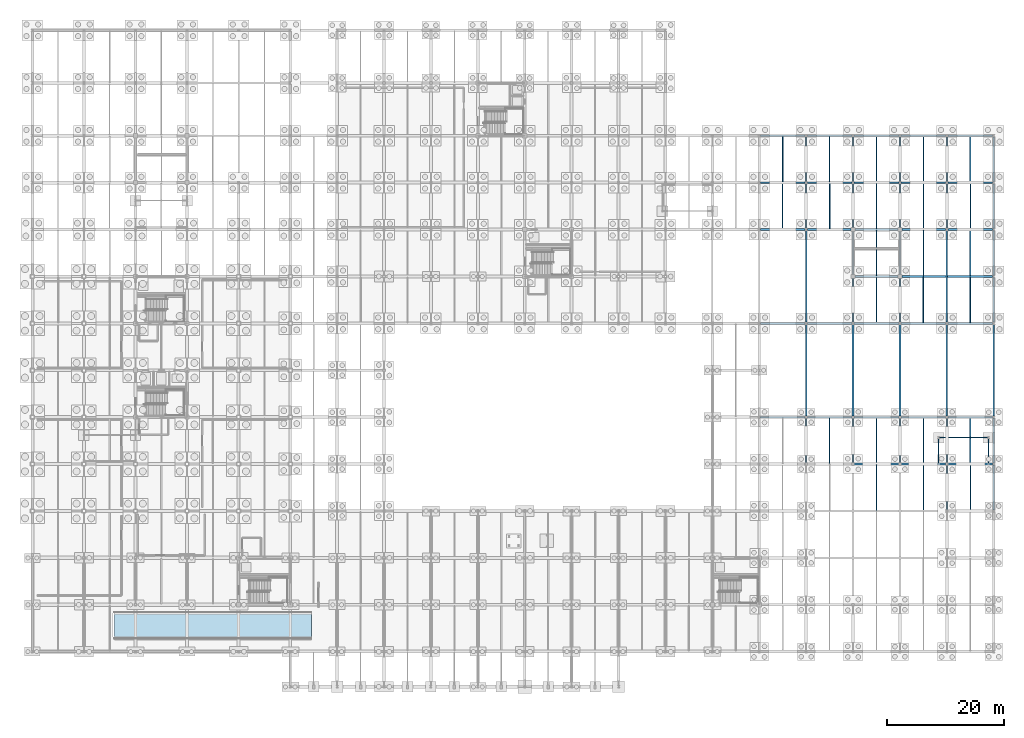
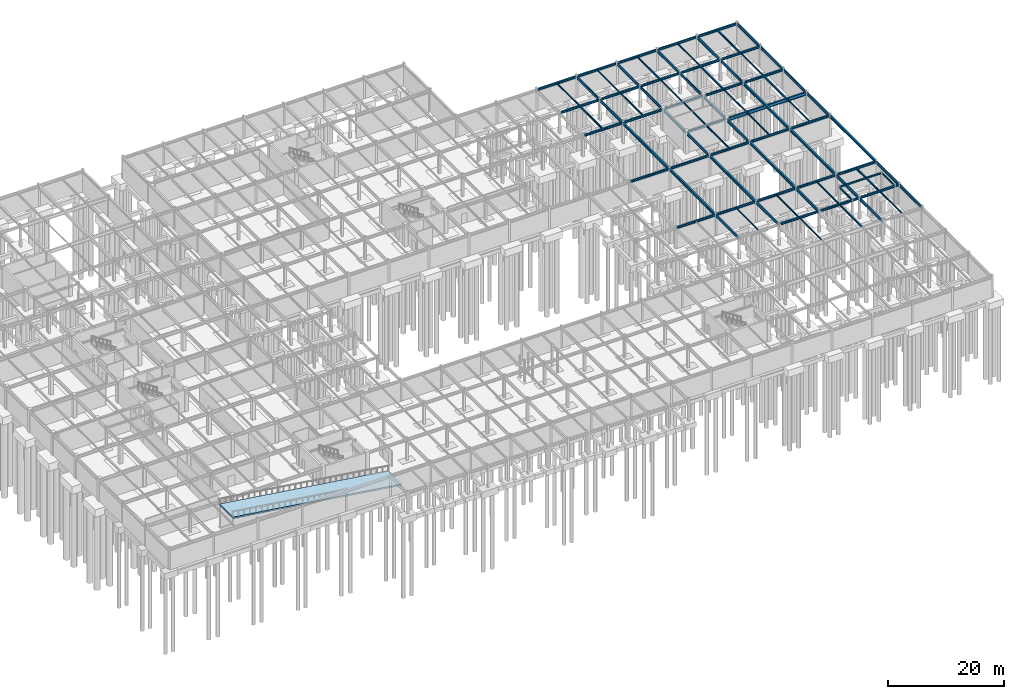
# One storey, part 40 of 72: 86 beams, 1 slab.
"""IFC4 building model written with IfcOpenShell, lengths in metres."""

import ifcopenshell
import ifcopenshell.guid

model = None  # the IFC model being written
_history = None  # IfcOwnerHistory: only IFC2X3 demands one
_inside = {}  # id of a spatial element -> (the spatial element, [elements in it])
_under = {}  # id of a project, library or spatial element -> (it, [spatial elements below it])
_declared = {}  # id of a project -> (the project, [libraries it declares])
_typed = {}  # id of a type object -> (the type object, [elements of that type])
_made_of = {}  # id of a material, layer set ... -> (it, [elements and type objects made of it])


def new_model(schema):
    """Start an empty IFC model of exactly this schema.

    Asked for "IFC4X3", IfcOpenShell would pick the latest addendum, in which some entities
    have other attributes; the version numbers below select the first issue.
    IFC2X3 requires an IfcOwnerHistory on every rooted entity: one is made here for all.
    """
    global model, _history
    if schema == "IFC4X3":
        model = ifcopenshell.file(schema_version=(4, 3, 0, 0))
    else:
        model = ifcopenshell.file(schema=schema)
    _inside.clear()
    _under.clear()
    _declared.clear()
    _typed.clear()
    _made_of.clear()
    _history = None
    if model.schema == "IFC2X3":
        org = make("IfcOrganization", Name="unknown")
        user = make(
            "IfcPersonAndOrganization",
            ThePerson=make("IfcPerson", FamilyName="unknown"),
            TheOrganization=org,
        )
        app = make(
            "IfcApplication",
            ApplicationDeveloper=org,
            Version="unknown",
            ApplicationFullName="unknown",
            ApplicationIdentifier="unknown",
        )
        _history = make(
            "IfcOwnerHistory",
            OwningUser=user,
            OwningApplication=app,
            ChangeAction="ADDED",
            CreationDate=0,
        )
    return model


def make(cls, **values):
    """One entity of the class cls with the attributes given. An attribute that is None is left unset."""
    return model.create_entity(
        cls, **{name: value for name, value in values.items() if value is not None}
    )


def rooted(cls, **values):
    """An entity with a GlobalId (a new one), such as an element, a storey or a relation."""
    return make(cls, GlobalId=ifcopenshell.guid.new(), OwnerHistory=_history, **values)


def si_unit(unit_type, name, prefix=None):
    """IfcSIUnit, for example si_unit("LENGTHUNIT", "METRE", prefix="MILLI")."""
    return make("IfcSIUnit", UnitType=unit_type, Prefix=prefix, Name=name)


def assignment(units):
    """IfcUnitAssignment: the units of a project."""
    return None if units is None else make("IfcUnitAssignment", Units=units)


def point(xyz):
    """IfcCartesianPoint."""
    return None if xyz is None else make("IfcCartesianPoint", Coordinates=xyz)


def direction(xyz):
    """IfcDirection."""
    return None if xyz is None else make("IfcDirection", DirectionRatios=xyz)


def frame(location, z_axis=None, x_axis=None):
    """IfcAxis2Placement3D, a coordinate frame: its origin and axes. An axis left out is left unset."""
    return make(
        "IfcAxis2Placement3D",
        Location=point(location),
        Axis=direction(z_axis),
        RefDirection=direction(x_axis),
    )


def frame_2d(location, x_axis=None):
    """IfcAxis2Placement2D, a coordinate frame in the plane: its origin and x axis."""
    return make(
        "IfcAxis2Placement2D", Location=point(location), RefDirection=direction(x_axis)
    )


def origin():
    """The frame at (0, 0, 0) with its axes left unset."""
    return frame((0.0, 0.0, 0.0))


def origin_2d():
    """The frame at (0, 0) in the plane with its x axis left unset."""
    return frame_2d((0.0, 0.0))


def place(relative_to, where):
    """IfcLocalPlacement: puts the frame where relative to a parent placement (None: the world)."""
    return make(
        "IfcLocalPlacement", PlacementRelTo=relative_to, RelativePlacement=where
    )


def context(
    kind, dimensions, precision=None, world=None, true_north=None, identifier=None
):
    """IfcGeometricRepresentationContext, for example the 3D "Model" context."""
    return make(
        "IfcGeometricRepresentationContext",
        ContextIdentifier=identifier,
        ContextType=kind,
        CoordinateSpaceDimension=dimensions,
        Precision=precision,
        WorldCoordinateSystem=world,
        TrueNorth=true_north,
    )


def subcontext(parent, identifier, kind, view, scale=None):
    """IfcGeometricRepresentationSubContext, for example "Body" below "Model"."""
    return make(
        "IfcGeometricRepresentationSubContext",
        ContextIdentifier=identifier,
        ContextType=kind,
        ParentContext=parent,
        TargetScale=scale,
        TargetView=view,
    )


def project(units=None, contexts=None):
    """IfcProject with its units and contexts."""
    return rooted(
        "IfcProject",
        Name="project",
        RepresentationContexts=contexts,
        UnitsInContext=assignment(units),
    )


def spatial(cls, under=None, at=None, **own):
    """A site, building, storey or space (cls), placed at a placement, below another one or the project."""
    s = rooted(cls, ObjectPlacement=at, **own)
    if under is not None:
        _under.setdefault(under.id(), (under, []))[1].append(s)
    return s


def polyline(points):
    """IfcPolyline through the points."""
    return make("IfcPolyline", Points=[point(p) for p in points])


def profile(cls, at=None, kind="AREA", **sizes):
    """A parametric profile (cls). Its sizes go by their IFC names, for example OverallWidth=200.0."""
    return make(cls, ProfileType=kind, Position=at, **sizes)


def i_section(**sizes):
    """IfcIShapeProfileDef."""
    return profile("IfcIShapeProfileDef", **sizes)


def outline(outer, holes=None, kind="AREA"):
    """IfcArbitraryClosedProfileDef: a profile drawn as a closed curve; with holes, ...WithVoids."""
    if holes is None:
        return make("IfcArbitraryClosedProfileDef", ProfileType=kind, OuterCurve=outer)
    return make(
        "IfcArbitraryProfileDefWithVoids",
        ProfileType=kind,
        OuterCurve=outer,
        InnerCurves=holes,
    )


def extrude(swept, where, along, depth):
    """IfcExtrudedAreaSolid: the profile swept, set in the frame where, extruded along a direction by depth."""
    return make(
        "IfcExtrudedAreaSolid",
        SweptArea=swept,
        Position=where,
        ExtrudedDirection=direction(along),
        Depth=depth,
    )


def shape(context_of_items, identifier, shape_type, items):
    """IfcShapeRepresentation: the items that make up one representation, for example the "Body"."""
    return make(
        "IfcShapeRepresentation",
        ContextOfItems=context_of_items,
        RepresentationIdentifier=identifier,
        RepresentationType=shape_type,
        Items=items,
    )


def material(Name=None, Category=None):
    """IfcMaterial."""
    return make("IfcMaterial", Name=Name, Category=Category)


def layer(
    of_material, thickness, ventilated=None, Name=None, Category=None, Priority=None
):
    """IfcMaterialLayer: one layer of a wall or slab, of a material (None: an air gap)."""
    return make(
        "IfcMaterialLayer",
        Material=of_material,
        LayerThickness=thickness,
        IsVentilated=ventilated,
        Name=Name,
        Category=Category,
        Priority=Priority,
    )


def layer_set(layers, Name=None):
    """IfcMaterialLayerSet."""
    return make("IfcMaterialLayerSet", MaterialLayers=layers, LayerSetName=Name)


def material_profile(
    of_material, cross_section, Name=None, Category=None, Priority=None
):
    """IfcMaterialProfile: a cross section and its material."""
    return make(
        "IfcMaterialProfile",
        Name=Name,
        Material=of_material,
        Profile=cross_section,
        Priority=Priority,
        Category=Category,
    )


def profile_set(profiles, Name=None, composite=None):
    """IfcMaterialProfileSet."""
    return make(
        "IfcMaterialProfileSet",
        Name=Name,
        MaterialProfiles=profiles,
        CompositeProfile=composite,
    )


def made_of(thing, what):
    """Note that an element or type object is made of a material, layer set ...; save() writes the relation."""
    if what is not None:
        _made_of.setdefault(what.id(), (what, []))[1].append(thing)
    return thing


def type_object(cls, material=None, **own):
    """A type object (cls), such as IfcWallType, which elements share."""
    return made_of(rooted(cls, **own), material)


def element(
    cls,
    number,
    at=None,
    inside=None,
    cuts=None,
    type_object=None,
    material=None,
    context=None,
    identifier="Body",
    shape_type=None,
    held_by="IfcProductDefinitionShape",
    body=None,
    shapes=None,
    **own,
):
    """One element of the class cls, such as IfcWall. Its Tag is "e" and its number.

    at: its placement. inside: the storey or other place that contains it. cuts: it is an
    opening in that element (IfcRelVoidsElement). A single representation is given by context,
    identifier, shape_type and body (its items); several are given by shapes. held_by: the class
    of the entity that holds the representations. save() writes the other relations.
    """
    e = rooted(cls, Tag="e%d" % number, ObjectPlacement=at, **own)
    if body is not None:
        shapes = [shape(context, identifier, shape_type, body)]
    if shapes is not None:
        e.Representation = make(held_by, Representations=shapes)
    if inside is not None:
        _inside.setdefault(inside.id(), (inside, []))[1].append(e)
    if cuts is not None:
        rooted(
            "IfcRelVoidsElement", RelatingBuildingElement=cuts, RelatedOpeningElement=e
        )
    if type_object is not None:
        _typed.setdefault(type_object.id(), (type_object, []))[1].append(e)
    return made_of(e, material)


def aggregate(whole, parts):
    """IfcRelAggregates: a whole, such as a stair, and the parts it consists of."""
    return rooted("IfcRelAggregates", RelatingObject=whole, RelatedObjects=parts)


def save(model, path):
    """Write the relations noted so far, then the file.

    IfcRelAggregates (storeys below a building ...), IfcRelContainedInSpatialStructure (elements
    in a storey), IfcRelDefinesByType, IfcRelAssociatesMaterial and IfcRelDeclares: one each for
    every whole, place, type object, material and project.
    """
    for whole, parts in _under.values():
        aggregate(whole, parts)
    for where, things in _inside.values():
        rooted(
            "IfcRelContainedInSpatialStructure",
            RelatedElements=things,
            RelatingStructure=where,
        )
    for kind, things in _typed.values():
        rooted("IfcRelDefinesByType", RelatedObjects=things, RelatingType=kind)
    for what, things in _made_of.values():
        rooted("IfcRelAssociatesMaterial", RelatedObjects=things, RelatingMaterial=what)
    for by, libraries in _declared.values():
        rooted("IfcRelDeclares", RelatingContext=by, RelatedDefinitions=libraries)
    model.write(path)


model = new_model("IFC4")

# Units and contexts
model_context = context("Model", 3, precision=1e-05, world=origin(), true_north=direction((0.0, 1.0)))
body_context = subcontext(model_context, "Body", "Model", "MODEL_VIEW")
ifc_project = project(units=[si_unit("LENGTHUNIT", "METRE"), si_unit("AREAUNIT", "SQUARE_METRE"), si_unit("VOLUMEUNIT", "CUBIC_METRE"), si_unit("PLANEANGLEUNIT", "RADIAN"), si_unit("MASSUNIT", "GRAM", prefix="KILO")], contexts=[model_context])

# Site, building, storey
site_placement = place(None, origin())
site = spatial("IfcSite", under=ifc_project, at=site_placement, CompositionType="ELEMENT")
building_placement = place(site_placement, origin())
building = spatial("IfcBuilding", under=site, at=building_placement, Name="Zhaolan Boulevard Law Courts", CompositionType="ELEMENT")
storey_placement = place(building_placement, frame((0.0, 0.0, -4.800048828125)))
storey = spatial("IfcBuildingStorey", under=building, at=storey_placement, Name="B1", CompositionType="ELEMENT", Elevation=-4.800048828125)

# Beams
ifc_material_1 = material(Name="Structural steel Q355B", Category="steel")
ifc_material_profile_1 = material_profile(ifc_material_1, i_section(OverallWidth=0.300048828125, OverallDepth=0.43994140625, WebThickness=0.010986328125, FlangeThickness=0.01806640625, FilletRadius=0.02001953125, at=origin_2d()), Name="HM440x300")
ifc_profile_set_1 = profile_set([ifc_material_profile_1], Name="Structural steel Q355B")
beam_type_1 = type_object("IfcBeamType", Name="GIRDER HM440", PredefinedType="BEAM", material=ifc_profile_set_1)
for number, where, z_axis, x_axis, name in (
    (1, (140.196044921875, 38.0, 4.278076171875), (1.0, 0.0, 0.0), (0.0, 1.0, 0.0), "Beam BX-L00-18-19-F"),
    (2, (148.196044921875, 38.0, 4.278076171875), (1.0, 0.0, 0.0), (0.0, 1.0, 0.0), "Beam BX-L00-19-20-F"),
):
    element("IfcBeam", number, at=place(storey_placement, frame(where, z_axis=z_axis, x_axis=x_axis)), inside=storey, type_object=beam_type_1, Name=name, PredefinedType="BEAM", context=body_context, shape_type="SweptSolid", body=[
        extrude(i_section(OverallWidth=0.300048828125, OverallDepth=0.43994140625, WebThickness=0.010986328125, FlangeThickness=0.01806640625, FilletRadius=0.02001953125, at=origin_2d()), origin(), (0.0, 0.0, 1.0), 7.60791015625),
    ])
for number, where, z_axis, x_axis, name in (
    (3, (156.196044921875, 38.0, 4.278076171875), (1.0, 0.0, 0.0), (0.0, 1.0, 0.0), "Beam BX-L00-20-21-F"),
    (4, (124.1708984375, 46.0, 4.278076171875), (1.0, 0.0, 0.0), (0.0, 1.0, 0.0), "Beam BX-L00-16-17-G"),
):
    element("IfcBeam", number, at=place(storey_placement, frame(where, z_axis=z_axis, x_axis=x_axis)), inside=storey, type_object=beam_type_1, Name=name, PredefinedType="BEAM", context=body_context, shape_type="SweptSolid", body=[
        extrude(i_section(OverallWidth=0.300048828125, OverallDepth=0.43994140625, WebThickness=0.010986328125, FlangeThickness=0.01806640625, FilletRadius=0.02001953125, at=origin_2d()), origin(), (0.0, 0.0, 1.0), 7.633056640625),
    ])
for number, where, z_axis, x_axis, name in (
    (5, (132.196044921875, 46.0, 4.278076171875), (1.0, 0.0, 0.0), (0.0, 1.0, 0.0), "Beam BX-L00-17-18-G"),
    (6, (140.196044921875, 46.0, 4.278076171875), (1.0, 0.0, 0.0), (0.0, 1.0, 0.0), "Beam BX-L00-18-19-G"),
    (7, (148.196044921875, 46.0, 4.278076171875), (1.0, 0.0, 0.0), (0.0, 1.0, 0.0), "Beam BX-L00-19-20-G"),
):
    element("IfcBeam", number, at=place(storey_placement, frame(where, z_axis=z_axis, x_axis=x_axis)), inside=storey, type_object=beam_type_1, Name=name, PredefinedType="BEAM", context=body_context, shape_type="SweptSolid", body=[
        extrude(i_section(OverallWidth=0.300048828125, OverallDepth=0.43994140625, WebThickness=0.010986328125, FlangeThickness=0.01806640625, FilletRadius=0.02001953125, at=origin_2d()), origin(), (0.0, 0.0, 1.0), 7.60791015625),
    ])
beam_1_placement = place(storey_placement, frame((156.196044921875, 46.0, 4.278076171875), z_axis=(1.0, 0.0, 0.0), x_axis=(0.0, 1.0, 0.0)))
element("IfcBeam", 8, at=beam_1_placement, inside=storey, type_object=beam_type_1, Name="Beam BX-L00-20-21-G", PredefinedType="BEAM", context=body_context, shape_type="SweptSolid", body=[
    extrude(i_section(OverallWidth=0.300048828125, OverallDepth=0.43994140625, WebThickness=0.010986328125, FlangeThickness=0.01806640625, FilletRadius=0.02001953125, at=origin_2d()), origin(), (0.0, 0.0, 1.0), 7.633056640625),
])
for number, where, z_axis, x_axis, name in (
    (9, (124.196044921875, 62.0, 4.278076171875), (1.0, 0.0, 0.0), (0.0, 1.0, 0.0), "Beam BX-L00-16-17-J"),
    (10, (132.196044921875, 62.0, 4.278076171875), (1.0, 0.0, 0.0), (0.0, 1.0, 0.0), "Beam BX-L00-17-18-J"),
    (11, (140.196044921875, 62.0, 4.278076171875), (1.0, 0.0, 0.0), (0.0, 1.0, 0.0), "Beam BX-L00-18-19-J"),
    (12, (148.196044921875, 62.0, 4.278076171875), (1.0, 0.0, 0.0), (0.0, 1.0, 0.0), "Beam BX-L00-19-20-J"),
    (13, (156.196044921875, 62.0, 4.278076171875), (1.0, 0.0, 0.0), (0.0, 1.0, 0.0), "Beam BX-L00-20-21-J"),
):
    element("IfcBeam", number, at=place(storey_placement, frame(where, z_axis=z_axis, x_axis=x_axis)), inside=storey, type_object=beam_type_1, Name=name, PredefinedType="BEAM", context=body_context, shape_type="SweptSolid", body=[
        extrude(i_section(OverallWidth=0.300048828125, OverallDepth=0.43994140625, WebThickness=0.010986328125, FlangeThickness=0.01806640625, FilletRadius=0.02001953125, at=origin_2d()), origin(), (0.0, 0.0, 1.0), 7.60791015625),
    ])
beam_2_placement = place(storey_placement, frame((140.345947265625, 70.0, 4.278076171875), z_axis=(1.0, 0.0, 0.0), x_axis=(0.0, 1.0, 0.0)))
element("IfcBeam", 14, at=beam_2_placement, inside=storey, type_object=beam_type_1, Name="Beam BX-L00-18-19-K", PredefinedType="BEAM", context=body_context, shape_type="SweptSolid", body=[
    extrude(i_section(OverallWidth=0.300048828125, OverallDepth=0.43994140625, WebThickness=0.010986328125, FlangeThickness=0.01806640625, FilletRadius=0.02001953125, at=origin_2d()), origin(), (0.0, 0.0, 1.0), 7.30810546875),
])
beam_3_placement = place(storey_placement, frame((124.196044921875, 78.0, 4.278076171875), z_axis=(1.0, 0.0, 0.0), x_axis=(0.0, 1.0, 0.0)))
element("IfcBeam", 15, at=beam_3_placement, inside=storey, type_object=beam_type_1, Name="Beam BX-L00-16-17-L", PredefinedType="BEAM", context=body_context, shape_type="SweptSolid", body=[
    extrude(i_section(OverallWidth=0.300048828125, OverallDepth=0.43994140625, WebThickness=0.010986328125, FlangeThickness=0.01806640625, FilletRadius=0.02001953125, at=origin_2d()), origin(), (0.0, 0.0, 1.0), 7.60791015625),
])
beam_4_placement = place(storey_placement, frame((132.196044921875, 78.0, 4.278076171875), z_axis=(1.0, 0.0, 0.0), x_axis=(0.0, 1.0, 0.0)))
element("IfcBeam", 16, at=beam_4_placement, inside=storey, type_object=beam_type_1, Name="Beam BX-L00-17-18-L", PredefinedType="BEAM", context=body_context, shape_type="SweptSolid", body=[
    extrude(i_section(OverallWidth=0.300048828125, OverallDepth=0.43994140625, WebThickness=0.010986328125, FlangeThickness=0.01806640625, FilletRadius=0.02001953125, at=origin_2d()), origin(), (0.0, 0.0, 1.0), 7.4580078125),
])
beam_5_placement = place(storey_placement, frame((140.345947265625, 78.0, 4.278076171875), z_axis=(1.0, 0.0, 0.0), x_axis=(0.0, 1.0, 0.0)))
element("IfcBeam", 17, at=beam_5_placement, inside=storey, type_object=beam_type_1, Name="Beam BX-L00-18-19-L", PredefinedType="BEAM", context=body_context, shape_type="SweptSolid", body=[
    extrude(i_section(OverallWidth=0.300048828125, OverallDepth=0.43994140625, WebThickness=0.010986328125, FlangeThickness=0.01806640625, FilletRadius=0.02001953125, at=origin_2d()), origin(), (0.0, 0.0, 1.0), 7.30810546875),
])
beam_6_placement = place(storey_placement, frame((148.345947265625, 78.0, 4.278076171875), z_axis=(1.0, 0.0, 0.0), x_axis=(0.0, 1.0, 0.0)))
element("IfcBeam", 18, at=beam_6_placement, inside=storey, type_object=beam_type_1, Name="Beam BX-L00-19-20-L", PredefinedType="BEAM", context=body_context, shape_type="SweptSolid", body=[
    extrude(i_section(OverallWidth=0.300048828125, OverallDepth=0.43994140625, WebThickness=0.010986328125, FlangeThickness=0.01806640625, FilletRadius=0.02001953125, at=origin_2d()), origin(), (0.0, 0.0, 1.0), 7.4580078125),
])
for number, where, z_axis, x_axis, name in (
    (19, (156.196044921875, 78.0, 4.278076171875), (1.0, 0.0, 0.0), (0.0, 1.0, 0.0), "Beam BX-L00-20-21-L"),
    (20, (124.196044921875, 86.0, 4.278076171875), (1.0, 0.0, 0.0), (0.0, 1.0, 0.0), "Beam BX-L00-16-17-M"),
    (21, (132.196044921875, 86.0, 4.278076171875), (1.0, 0.0, 0.0), (0.0, 1.0, 0.0), "Beam BX-L00-17-18-M"),
    (22, (140.196044921875, 86.0, 4.278076171875), (1.0, 0.0, 0.0), (0.0, 1.0, 0.0), "Beam BX-L00-18-19-M"),
    (23, (148.196044921875, 86.0, 4.278076171875), (1.0, 0.0, 0.0), (0.0, 1.0, 0.0), "Beam BX-L00-19-20-M"),
    (24, (156.196044921875, 86.0, 4.278076171875), (1.0, 0.0, 0.0), (0.0, 1.0, 0.0), "Beam BX-L00-20-21-M"),
    (25, (124.196044921875, 94.0, 4.278076171875), (1.0, 0.0, 0.0), (0.0, 1.0, 0.0), "Beam BX-L00-16-17-N"),
    (26, (132.196044921875, 94.0, 4.278076171875), (1.0, 0.0, 0.0), (0.0, 1.0, 0.0), "Beam BX-L00-17-18-N"),
    (27, (140.196044921875, 94.0, 4.278076171875), (1.0, 0.0, 0.0), (0.0, 1.0, 0.0), "Beam BX-L00-18-19-N"),
    (28, (148.196044921875, 94.0, 4.278076171875), (1.0, 0.0, 0.0), (0.0, 1.0, 0.0), "Beam BX-L00-19-20-N"),
    (29, (156.196044921875, 94.0, 4.278076171875), (1.0, 0.0, 0.0), (0.0, 1.0, 0.0), "Beam BX-L00-20-21-N"),
):
    element("IfcBeam", number, at=place(storey_placement, frame(where, z_axis=z_axis, x_axis=x_axis)), inside=storey, type_object=beam_type_1, Name=name, PredefinedType="BEAM", context=body_context, shape_type="SweptSolid", body=[
        extrude(i_section(OverallWidth=0.300048828125, OverallDepth=0.43994140625, WebThickness=0.010986328125, FlangeThickness=0.01806640625, FilletRadius=0.02001953125, at=origin_2d()), origin(), (0.0, 0.0, 1.0), 7.60791015625),
    ])
ifc_material_2 = material(Name="Structural steel Q390B", Category="steel")
ifc_material_profile_2 = material_profile(ifc_material_2, i_section(OverallWidth=0.300048828125, OverallDepth=0.587890625, WebThickness=0.011962890625, FlangeThickness=0.02001953125, FilletRadius=0.02392578125, at=origin_2d()), Name="HM588x300")
ifc_profile_set_2 = profile_set([ifc_material_profile_2], Name="Structural steel Q390B")
beam_type_2 = type_object("IfcBeamType", Name="GIRDER HM588", PredefinedType="BEAM", material=ifc_profile_set_2)
for number, where, z_axis, x_axis, name in (
    (30, (132.0, 46.196044921875, 4.254150390625), (0.0, 1.0, 0.0), (-1.0, 0.0, 0.0), "Beam BY-L00-17-G-J"),
    (31, (132.0, 62.196044921875, 4.2041015625), (0.0, 1.0, 0.0), (-1.0, 0.0, 0.0), "Beam BY-L00-17-J-L"),
    (32, (140.0, 46.196044921875, 4.254150390625), (0.0, 1.0, 0.0), (-1.0, 0.0, 0.0), "Beam BY-L00-18-G-J"),
    (33, (148.0, 46.196044921875, 4.254150390625), (0.0, 1.0, 0.0), (-1.0, 0.0, 0.0), "Beam BY-L00-19-G-J"),
    (34, (156.0, 46.196044921875, 4.254150390625), (0.0, 1.0, 0.0), (-1.0, 0.0, 0.0), "Beam BY-L00-20-G-J"),
    (35, (156.0, 62.196044921875, 4.2041015625), (0.0, 1.0, 0.0), (-1.0, 0.0, 0.0), "Beam BY-L00-20-J-L"),
):
    element("IfcBeam", number, at=place(storey_placement, frame(where, z_axis=z_axis, x_axis=x_axis)), inside=storey, type_object=beam_type_2, Name=name, PredefinedType="BEAM", context=body_context, shape_type="SweptSolid", body=[
        extrude(i_section(OverallWidth=0.300048828125, OverallDepth=0.587890625, WebThickness=0.011962890625, FlangeThickness=0.02001953125, FilletRadius=0.02392578125, at=origin_2d()), origin(), (0.0, 0.0, 1.0), 15.60791015625),
    ])
beam_7_placement = place(storey_placement, frame((164.0, 46.1708984375, 4.254150390625), z_axis=(0.0, 1.0, 0.0), x_axis=(-1.0, 0.0, 0.0)))
element("IfcBeam", 36, at=beam_7_placement, inside=storey, type_object=beam_type_2, Name="Beam BY-L00-21-G-J", PredefinedType="BEAM", context=body_context, shape_type="SweptSolid", body=[
    extrude(i_section(OverallWidth=0.300048828125, OverallDepth=0.587890625, WebThickness=0.011962890625, FlangeThickness=0.02001953125, FilletRadius=0.02392578125, at=origin_2d()), origin(), (0.0, 0.0, 1.0), 15.633056640625),
])
ifc_material_3 = material(Name="Structural steel Q355B", Category="steel")
ifc_material_profile_3 = material_profile(ifc_material_3, i_section(OverallWidth=0.199951171875, OverallDepth=0.60009765625, WebThickness=0.010986328125, FlangeThickness=0.01708984375, FilletRadius=0.02001953125, at=origin_2d()), Name="HN600x200")
ifc_profile_set_3 = profile_set([ifc_material_profile_3], Name="Structural steel Q355B")
beam_type_3 = type_object("IfcBeamType", Name="GIRDER HN600", PredefinedType="BEAM", material=ifc_profile_set_3)
for number, where, z_axis, x_axis, name in (
    (37, (132.0, 38.196044921875, 4.197998046875), (0.0, 1.0, 0.0), (-1.0, 0.0, 0.0), "Beam BY-L00-17-F-G"),
    (38, (132.0, 78.196044921875, 4.197998046875), (0.0, 1.0, 0.0), (-1.0, 0.0, 0.0), "Beam BY-L00-17-L-M"),
    (39, (132.0, 86.196044921875, 4.197998046875), (0.0, 1.0, 0.0), (-1.0, 0.0, 0.0), "Beam BY-L00-17-M-N"),
    (40, (140.0, 38.196044921875, 4.197998046875), (0.0, 1.0, 0.0), (-1.0, 0.0, 0.0), "Beam BY-L00-18-F-G"),
):
    element("IfcBeam", number, at=place(storey_placement, frame(where, z_axis=z_axis, x_axis=x_axis)), inside=storey, type_object=beam_type_3, Name=name, PredefinedType="BEAM", context=body_context, shape_type="SweptSolid", body=[
        extrude(i_section(OverallWidth=0.199951171875, OverallDepth=0.60009765625, WebThickness=0.010986328125, FlangeThickness=0.01708984375, FilletRadius=0.02001953125, at=origin_2d()), origin(), (0.0, 0.0, 1.0), 7.60791015625),
    ])
beam_8_placement = place(storey_placement, frame((140.0, 62.196044921875, 4.197998046875), z_axis=(0.0, 1.0, 0.0), x_axis=(-1.0, 0.0, 0.0)))
element("IfcBeam", 41, at=beam_8_placement, inside=storey, type_object=beam_type_3, Name="Beam BY-L00-18-J-K", PredefinedType="BEAM", context=body_context, shape_type="SweptSolid", body=[
    extrude(i_section(OverallWidth=0.199951171875, OverallDepth=0.60009765625, WebThickness=0.010986328125, FlangeThickness=0.01708984375, FilletRadius=0.02001953125, at=origin_2d()), origin(), (0.0, 0.0, 1.0), 7.4580078125),
])
beam_9_placement = place(storey_placement, frame((140.0, 70.345947265625, 4.197998046875), z_axis=(0.0, 1.0, 0.0), x_axis=(-1.0, 0.0, 0.0)))
element("IfcBeam", 42, at=beam_9_placement, inside=storey, type_object=beam_type_3, Name="Beam BY-L00-18-K-L", PredefinedType="BEAM", context=body_context, shape_type="SweptSolid", body=[
    extrude(i_section(OverallWidth=0.199951171875, OverallDepth=0.60009765625, WebThickness=0.010986328125, FlangeThickness=0.01708984375, FilletRadius=0.02001953125, at=origin_2d()), origin(), (0.0, 0.0, 1.0), 7.30810546875),
])
beam_10_placement = place(storey_placement, frame((140.0, 78.345947265625, 4.197998046875), z_axis=(0.0, 1.0, 0.0), x_axis=(-1.0, 0.0, 0.0)))
element("IfcBeam", 43, at=beam_10_placement, inside=storey, type_object=beam_type_3, Name="Beam BY-L00-18-L-M", PredefinedType="BEAM", context=body_context, shape_type="SweptSolid", body=[
    extrude(i_section(OverallWidth=0.199951171875, OverallDepth=0.60009765625, WebThickness=0.010986328125, FlangeThickness=0.01708984375, FilletRadius=0.02001953125, at=origin_2d()), origin(), (0.0, 0.0, 1.0), 7.4580078125),
])
for number, where, z_axis, x_axis, name in (
    (44, (140.0, 86.196044921875, 4.197998046875), (0.0, 1.0, 0.0), (-1.0, 0.0, 0.0), "Beam BY-L00-18-M-N"),
    (45, (148.0, 38.196044921875, 4.197998046875), (0.0, 1.0, 0.0), (-1.0, 0.0, 0.0), "Beam BY-L00-19-F-G"),
):
    element("IfcBeam", number, at=place(storey_placement, frame(where, z_axis=z_axis, x_axis=x_axis)), inside=storey, type_object=beam_type_3, Name=name, PredefinedType="BEAM", context=body_context, shape_type="SweptSolid", body=[
        extrude(i_section(OverallWidth=0.199951171875, OverallDepth=0.60009765625, WebThickness=0.010986328125, FlangeThickness=0.01708984375, FilletRadius=0.02001953125, at=origin_2d()), origin(), (0.0, 0.0, 1.0), 7.60791015625),
    ])
beam_11_placement = place(storey_placement, frame((148.0, 62.196044921875, 4.197998046875), z_axis=(0.0, 1.0, 0.0), x_axis=(-1.0, 0.0, 0.0)))
element("IfcBeam", 46, at=beam_11_placement, inside=storey, type_object=beam_type_3, Name="Beam BY-L00-19-J-K", PredefinedType="BEAM", context=body_context, shape_type="SweptSolid", body=[
    extrude(i_section(OverallWidth=0.199951171875, OverallDepth=0.60009765625, WebThickness=0.010986328125, FlangeThickness=0.01708984375, FilletRadius=0.02001953125, at=origin_2d()), origin(), (0.0, 0.0, 1.0), 7.4580078125),
])
beam_12_placement = place(storey_placement, frame((148.0, 70.345947265625, 4.197998046875), z_axis=(0.0, 1.0, 0.0), x_axis=(-1.0, 0.0, 0.0)))
element("IfcBeam", 47, at=beam_12_placement, inside=storey, type_object=beam_type_3, Name="Beam BY-L00-19-K-L", PredefinedType="BEAM", context=body_context, shape_type="SweptSolid", body=[
    extrude(i_section(OverallWidth=0.199951171875, OverallDepth=0.60009765625, WebThickness=0.010986328125, FlangeThickness=0.01708984375, FilletRadius=0.02001953125, at=origin_2d()), origin(), (0.0, 0.0, 1.0), 7.30810546875),
])
beam_13_placement = place(storey_placement, frame((148.0, 78.345947265625, 4.197998046875), z_axis=(0.0, 1.0, 0.0), x_axis=(-1.0, 0.0, 0.0)))
element("IfcBeam", 48, at=beam_13_placement, inside=storey, type_object=beam_type_3, Name="Beam BY-L00-19-L-M", PredefinedType="BEAM", context=body_context, shape_type="SweptSolid", body=[
    extrude(i_section(OverallWidth=0.199951171875, OverallDepth=0.60009765625, WebThickness=0.010986328125, FlangeThickness=0.01708984375, FilletRadius=0.02001953125, at=origin_2d()), origin(), (0.0, 0.0, 1.0), 7.4580078125),
])
beam_14_placement = place(storey_placement, frame((148.0, 86.196044921875, 4.197998046875), z_axis=(0.0, 1.0, 0.0), x_axis=(-1.0, 0.0, 0.0)))
element("IfcBeam", 49, at=beam_14_placement, inside=storey, type_object=beam_type_3, Name="Beam BY-L00-19-M-N", PredefinedType="BEAM", context=body_context, shape_type="SweptSolid", body=[
    extrude(i_section(OverallWidth=0.199951171875, OverallDepth=0.60009765625, WebThickness=0.010986328125, FlangeThickness=0.01708984375, FilletRadius=0.02001953125, at=origin_2d()), origin(), (0.0, 0.0, 1.0), 7.60791015625),
])
beam_15_placement = place(storey_placement, frame((156.0, 30.1708984375, 4.197998046875), z_axis=(0.0, 1.0, 0.0), x_axis=(-1.0, 0.0, 0.0)))
element("IfcBeam", 50, at=beam_15_placement, inside=storey, type_object=beam_type_3, Name="Beam BY-L00-20-E-F", PredefinedType="BEAM", context=body_context, shape_type="SweptSolid", body=[
    extrude(i_section(OverallWidth=0.199951171875, OverallDepth=0.60009765625, WebThickness=0.010986328125, FlangeThickness=0.01708984375, FilletRadius=0.02001953125, at=origin_2d()), origin(), (0.0, 0.0, 1.0), 7.633056640625),
])
for number, where, z_axis, x_axis, name in (
    (51, (156.0, 38.196044921875, 4.197998046875), (0.0, 1.0, 0.0), (-1.0, 0.0, 0.0), "Beam BY-L00-20-F-G"),
    (52, (156.0, 78.196044921875, 4.197998046875), (0.0, 1.0, 0.0), (-1.0, 0.0, 0.0), "Beam BY-L00-20-L-M"),
    (53, (156.0, 86.196044921875, 4.197998046875), (0.0, 1.0, 0.0), (-1.0, 0.0, 0.0), "Beam BY-L00-20-M-N"),
):
    element("IfcBeam", number, at=place(storey_placement, frame(where, z_axis=z_axis, x_axis=x_axis)), inside=storey, type_object=beam_type_3, Name=name, PredefinedType="BEAM", context=body_context, shape_type="SweptSolid", body=[
        extrude(i_section(OverallWidth=0.199951171875, OverallDepth=0.60009765625, WebThickness=0.010986328125, FlangeThickness=0.01708984375, FilletRadius=0.02001953125, at=origin_2d()), origin(), (0.0, 0.0, 1.0), 7.60791015625),
    ])
for number, where, z_axis, x_axis, name in (
    (54, (164.0, 30.1708984375, 4.197998046875), (0.0, 1.0, 0.0), (-1.0, 0.0, 0.0), "Beam BY-L00-21-E-F"),
    (55, (164.0, 38.1708984375, 4.197998046875), (0.0, 1.0, 0.0), (-1.0, 0.0, 0.0), "Beam BY-L00-21-F-G"),
):
    element("IfcBeam", number, at=place(storey_placement, frame(where, z_axis=z_axis, x_axis=x_axis)), inside=storey, type_object=beam_type_3, Name=name, PredefinedType="BEAM", context=body_context, shape_type="SweptSolid", body=[
        extrude(i_section(OverallWidth=0.199951171875, OverallDepth=0.60009765625, WebThickness=0.010986328125, FlangeThickness=0.01708984375, FilletRadius=0.02001953125, at=origin_2d()), origin(), (0.0, 0.0, 1.0), 7.658203125),
    ])
for number, where, z_axis, x_axis, name in (
    (56, (164.0, 62.196044921875, 4.197998046875), (0.0, 1.0, 0.0), (-1.0, 0.0, 0.0), "Beam BY-L00-21-J-K"),
    (57, (164.0, 70.196044921875, 4.197998046875), (0.0, 1.0, 0.0), (-1.0, 0.0, 0.0), "Beam BY-L00-21-K-L"),
    (58, (164.0, 78.196044921875, 4.197998046875), (0.0, 1.0, 0.0), (-1.0, 0.0, 0.0), "Beam BY-L00-21-L-M"),
    (59, (164.0, 86.196044921875, 4.197998046875), (0.0, 1.0, 0.0), (-1.0, 0.0, 0.0), "Beam BY-L00-21-M-N"),
):
    element("IfcBeam", number, at=place(storey_placement, frame(where, z_axis=z_axis, x_axis=x_axis)), inside=storey, type_object=beam_type_3, Name=name, PredefinedType="BEAM", context=body_context, shape_type="SweptSolid", body=[
        extrude(i_section(OverallWidth=0.199951171875, OverallDepth=0.60009765625, WebThickness=0.010986328125, FlangeThickness=0.01708984375, FilletRadius=0.02001953125, at=origin_2d()), origin(), (0.0, 0.0, 1.0), 7.60791015625),
    ])
ifc_material_4 = material(Name="Structural steel Q390B", Category="steel")
ifc_material_profile_4 = material_profile(ifc_material_4, i_section(OverallWidth=0.300048828125, OverallDepth=0.699951171875, WebThickness=0.012939453125, FlangeThickness=0.02392578125, FilletRadius=0.02392578125, at=origin_2d()), Name="HN700x300")
ifc_profile_set_4 = profile_set([ifc_material_profile_4], Name="Structural steel Q390B")
beam_type_4 = type_object("IfcBeamType", Name="GIRDER HN700", PredefinedType="BEAM", material=ifc_profile_set_4)
beam_16_placement = place(storey_placement, frame((148.345947265625, 70.0, 4.14794921875), z_axis=(1.0, 0.0, 0.0), x_axis=(0.0, 1.0, 0.0)))
element("IfcBeam", 60, at=beam_16_placement, inside=storey, type_object=beam_type_4, Name="Beam BX-L00-19-21-K", PredefinedType="BEAM", context=body_context, shape_type="SweptSolid", body=[
    extrude(i_section(OverallWidth=0.300048828125, OverallDepth=0.699951171875, WebThickness=0.012939453125, FlangeThickness=0.02392578125, FilletRadius=0.02392578125, at=origin_2d()), origin(), (0.0, 0.0, 1.0), 15.4580078125),
])
ifc_material_5 = material(Name="Structural steel Q355B", Category="steel")
ifc_material_profile_5 = material_profile(ifc_material_5, i_section(OverallWidth=0.175048828125, OverallDepth=0.243896484375, WebThickness=0.007080078125, FlangeThickness=0.010986328125, FilletRadius=0.012939453125, at=origin_2d()), Name="HM244x175")
ifc_profile_set_5 = profile_set([ifc_material_profile_5], Name="Structural steel Q355B")
beam_type_5 = type_object("IfcBeamType", Name="JOIST HM244", PredefinedType="JOIST", material=ifc_profile_set_5)
for number, where, z_axis, x_axis, name in (
    (61, (152.0, 38.14599609375, 4.3759765625), (0.0, 1.0, 0.0), (-1.0, 0.0, 0.0), "Composite Joist J-L00-19F"),
    (62, (152.0, 86.14599609375, 4.3759765625), (0.0, 1.0, 0.0), (-1.0, 0.0, 0.0), "Composite Joist J-L00-19M"),
    (63, (160.0, 30.14599609375, 4.3759765625), (0.0, 1.0, 0.0), (-1.0, 0.0, 0.0), "Composite Joist J-L00-20E"),
    (64, (160.0, 78.14599609375, 4.3759765625), (0.0, 1.0, 0.0), (-1.0, 0.0, 0.0), "Composite Joist J-L00-20L"),
):
    element("IfcBeam", number, at=place(storey_placement, frame(where, z_axis=z_axis, x_axis=x_axis)), inside=storey, type_object=beam_type_5, Name=name, PredefinedType="JOIST", context=body_context, shape_type="SweptSolid", body=[
        extrude(i_section(OverallWidth=0.175048828125, OverallDepth=0.243896484375, WebThickness=0.007080078125, FlangeThickness=0.010986328125, FilletRadius=0.012939453125, at=origin_2d()), origin(), (0.0, 0.0, 1.0), 7.7080078125),
    ])
ifc_material_6 = material(Name="Structural steel Q355B", Category="steel")
ifc_material_profile_6 = material_profile(ifc_material_6, i_section(OverallWidth=0.199951171875, OverallDepth=0.2939453125, WebThickness=0.008056640625, FlangeThickness=0.011962890625, FilletRadius=0.01611328125, at=origin_2d()), Name="HM294x200")
ifc_profile_set_6 = profile_set([ifc_material_profile_6], Name="Structural steel Q355B")
beam_type_6 = type_object("IfcBeamType", Name="JOIST HM294", PredefinedType="JOIST", material=ifc_profile_set_6)
for number, where, z_axis, x_axis, name in (
    (65, (144.0, 38.14599609375, 4.35107421875), (0.0, 1.0, 0.0), (-1.0, 0.0, 0.0), "Composite Joist J-L00-18F"),
    (66, (144.0, 86.14599609375, 4.35107421875), (0.0, 1.0, 0.0), (-1.0, 0.0, 0.0), "Composite Joist J-L00-18M"),
    (67, (152.0, 30.14599609375, 4.35107421875), (0.0, 1.0, 0.0), (-1.0, 0.0, 0.0), "Composite Joist J-L00-19E"),
    (68, (152.0, 78.14599609375, 4.35107421875), (0.0, 1.0, 0.0), (-1.0, 0.0, 0.0), "Composite Joist J-L00-19L"),
    (69, (160.0, 70.14599609375, 4.35107421875), (0.0, 1.0, 0.0), (-1.0, 0.0, 0.0), "Composite Joist J-L00-20K"),
):
    element("IfcBeam", number, at=place(storey_placement, frame(where, z_axis=z_axis, x_axis=x_axis)), inside=storey, type_object=beam_type_6, Name=name, PredefinedType="JOIST", context=body_context, shape_type="SweptSolid", body=[
        extrude(i_section(OverallWidth=0.199951171875, OverallDepth=0.2939453125, WebThickness=0.008056640625, FlangeThickness=0.011962890625, FilletRadius=0.01611328125, at=origin_2d()), origin(), (0.0, 0.0, 1.0), 7.7080078125),
    ])
ifc_material_7 = material(Name="Structural steel Q355B", Category="steel")
ifc_material_profile_7 = material_profile(ifc_material_7, i_section(OverallWidth=0.125, OverallDepth=0.25, WebThickness=0.006103515625, FlangeThickness=0.009033203125, FilletRadius=0.010009765625, at=origin_2d()), Name="HN250x125")
ifc_profile_set_7 = profile_set([ifc_material_profile_7], Name="Structural steel Q355B")
beam_type_7 = type_object("IfcBeamType", Name="JOIST HN250", PredefinedType="JOIST", material=ifc_profile_set_7)
for number, where, z_axis, x_axis, name in (
    (70, (136.0, 38.14599609375, 4.373046875), (0.0, 1.0, 0.0), (-1.0, 0.0, 0.0), "Composite Joist J-L00-17F"),
    (71, (136.0, 86.14599609375, 4.373046875), (0.0, 1.0, 0.0), (-1.0, 0.0, 0.0), "Composite Joist J-L00-17M"),
    (72, (144.0, 30.14599609375, 4.373046875), (0.0, 1.0, 0.0), (-1.0, 0.0, 0.0), "Composite Joist J-L00-18E"),
    (73, (144.0, 78.14599609375, 4.373046875), (0.0, 1.0, 0.0), (-1.0, 0.0, 0.0), "Composite Joist J-L00-18L"),
    (74, (152.0, 70.14599609375, 4.373046875), (0.0, 1.0, 0.0), (-1.0, 0.0, 0.0), "Composite Joist J-L00-19K"),
    (75, (160.0, 62.14599609375, 4.373046875), (0.0, 1.0, 0.0), (-1.0, 0.0, 0.0), "Composite Joist J-L00-20J"),
):
    element("IfcBeam", number, at=place(storey_placement, frame(where, z_axis=z_axis, x_axis=x_axis)), inside=storey, type_object=beam_type_7, Name=name, PredefinedType="JOIST", context=body_context, shape_type="SweptSolid", body=[
        extrude(i_section(OverallWidth=0.125, OverallDepth=0.25, WebThickness=0.006103515625, FlangeThickness=0.009033203125, FilletRadius=0.010009765625, at=origin_2d()), origin(), (0.0, 0.0, 1.0), 7.7080078125),
    ])
ifc_material_8 = material(Name="Structural steel Q355B", Category="steel")
ifc_material_profile_8 = material_profile(ifc_material_8, i_section(OverallWidth=0.14990234375, OverallDepth=0.300048828125, WebThickness=0.006591796875, FlangeThickness=0.009033203125, FilletRadius=0.010986328125, at=origin_2d()), Name="HN300x150")
ifc_profile_set_8 = profile_set([ifc_material_profile_8], Name="Structural steel Q355B")
beam_type_8 = type_object("IfcBeamType", Name="JOIST HN300", PredefinedType="JOIST", material=ifc_profile_set_8)
for number, where, z_axis, x_axis, name in (
    (76, (128.0, 86.14599609375, 4.34814453125), (0.0, 1.0, 0.0), (-1.0, 0.0, 0.0), "Composite Joist J-L00-16M"),
    (77, (136.0, 78.14599609375, 4.34814453125), (0.0, 1.0, 0.0), (-1.0, 0.0, 0.0), "Composite Joist J-L00-17L"),
    (78, (144.0, 70.14599609375, 4.34814453125), (0.0, 1.0, 0.0), (-1.0, 0.0, 0.0), "Composite Joist J-L00-18K"),
    (79, (152.0, 62.14599609375, 4.34814453125), (0.0, 1.0, 0.0), (-1.0, 0.0, 0.0), "Composite Joist J-L00-19J"),
):
    element("IfcBeam", number, at=place(storey_placement, frame(where, z_axis=z_axis, x_axis=x_axis)), inside=storey, type_object=beam_type_8, Name=name, PredefinedType="JOIST", context=body_context, shape_type="SweptSolid", body=[
        extrude(i_section(OverallWidth=0.14990234375, OverallDepth=0.300048828125, WebThickness=0.006591796875, FlangeThickness=0.009033203125, FilletRadius=0.010986328125, at=origin_2d()), origin(), (0.0, 0.0, 1.0), 7.7080078125),
    ])
ifc_material_9 = material(Name="Structural steel Q355B", Category="steel")
ifc_material_profile_9 = material_profile(ifc_material_9, i_section(OverallWidth=0.175048828125, OverallDepth=0.35009765625, WebThickness=0.007080078125, FlangeThickness=0.010986328125, FilletRadius=0.012939453125, at=origin_2d()), Name="HN350x175")
ifc_profile_set_9 = profile_set([ifc_material_profile_9], Name="Structural steel Q355B")
beam_type_9 = type_object("IfcBeamType", Name="JOIST HN350", PredefinedType="JOIST", material=ifc_profile_set_9)
for number, where, z_axis, x_axis, name in (
    (80, (128.0, 78.14599609375, 4.322998046875), (0.0, 1.0, 0.0), (-1.0, 0.0, 0.0), "Composite Joist J-L00-16L"),
    (81, (144.0, 62.14599609375, 4.322998046875), (0.0, 1.0, 0.0), (-1.0, 0.0, 0.0), "Composite Joist J-L00-18J"),
):
    element("IfcBeam", number, at=place(storey_placement, frame(where, z_axis=z_axis, x_axis=x_axis)), inside=storey, type_object=beam_type_9, Name=name, PredefinedType="JOIST", context=body_context, shape_type="SweptSolid", body=[
        extrude(i_section(OverallWidth=0.175048828125, OverallDepth=0.35009765625, WebThickness=0.007080078125, FlangeThickness=0.010986328125, FilletRadius=0.012939453125, at=origin_2d()), origin(), (0.0, 0.0, 1.0), 7.7080078125),
    ])
ifc_material_10 = material(Name="Structural steel Q355B", Category="steel")
ifc_material_profile_10 = material_profile(ifc_material_10, i_section(OverallWidth=0.199951171875, OverallDepth=0.39990234375, WebThickness=0.008056640625, FlangeThickness=0.012939453125, FilletRadius=0.013916015625, at=origin_2d()), Name="HN400x200")
ifc_profile_set_10 = profile_set([ifc_material_profile_10], Name="Structural steel Q355B")
beam_type_10 = type_object("IfcBeamType", Name="JOIST HN400", PredefinedType="JOIST", material=ifc_profile_set_10)
for number, where, z_axis, x_axis, name in (
    (82, (160.0, 38.14599609375, 4.298095703125), (0.0, 1.0, 0.0), (-1.0, 0.0, 0.0), "Composite Joist J-L00-20F"),
    (83, (160.0, 86.14599609375, 4.298095703125), (0.0, 1.0, 0.0), (-1.0, 0.0, 0.0), "Composite Joist J-L00-20M"),
):
    element("IfcBeam", number, at=place(storey_placement, frame(where, z_axis=z_axis, x_axis=x_axis)), inside=storey, type_object=beam_type_10, Name=name, PredefinedType="JOIST", context=body_context, shape_type="SweptSolid", body=[
        extrude(i_section(OverallWidth=0.199951171875, OverallDepth=0.39990234375, WebThickness=0.008056640625, FlangeThickness=0.012939453125, FilletRadius=0.013916015625, at=origin_2d()), origin(), (0.0, 0.0, 1.0), 7.7080078125),
    ])
ifc_material_11 = material(Name="Structural steel Q355B", Category="steel")
ifc_material_profile_11 = material_profile(ifc_material_11, i_section(OverallWidth=0.175048828125, OverallDepth=0.35009765625, WebThickness=0.007080078125, FlangeThickness=0.010986328125, FilletRadius=0.012939453125, at=origin_2d()), Name="HN350x175")
ifc_profile_set_11 = profile_set([ifc_material_profile_11], Name="Structural steel Q355B")
beam_type_11 = type_object("IfcBeamType", Name="STAIR TRIMMER HN350", PredefinedType="BEAM", material=ifc_profile_set_11)
beam_17_placement = place(storey_placement, frame((154.739990234375, 42.5, 4.324951171875), z_axis=(1.0, 0.0, 0.0), x_axis=(0.0, 1.0, 0.0)))
element("IfcBeam", 84, at=beam_17_placement, inside=storey, type_object=beam_type_11, Name="Stairwell Support Girder SGB-ST07-N", PredefinedType="BEAM", context=body_context, shape_type="SweptSolid", body=[
    extrude(i_section(OverallWidth=0.175048828125, OverallDepth=0.35009765625, WebThickness=0.007080078125, FlangeThickness=0.010986328125, FilletRadius=0.012939453125, at=origin_2d()), origin(), (0.0, 0.0, 1.0), 8.219970703125),
])
for number, where, z_axis, x_axis, name in (
    (85, (154.60009765625, 38.139892578125, 4.324951171875), (0.0, 1.0, 0.0), (-1.0, 0.0, 0.0), "Stairwell Support Girder SGB-ST07-W"),
    (86, (163.10009765625, 38.139892578125, 4.324951171875), (0.0, 1.0, 0.0), (-1.0, 0.0, 0.0), "Stairwell Support Girder SGB-ST07-E"),
):
    element("IfcBeam", number, at=place(storey_placement, frame(where, z_axis=z_axis, x_axis=x_axis)), inside=storey, type_object=beam_type_11, Name=name, PredefinedType="BEAM", context=body_context, shape_type="SweptSolid", body=[
        extrude(i_section(OverallWidth=0.175048828125, OverallDepth=0.35009765625, WebThickness=0.007080078125, FlangeThickness=0.010986328125, FilletRadius=0.012939453125, at=origin_2d()), origin(), (0.0, 0.0, 1.0), 4.22021484375),
    ])

# Slab
ifc_material_12 = material(Name="Concrete C40", Category="concrete")
ifc_layer = layer(ifc_material_12, 0.320068359375)
ifc_layer_set = layer_set([ifc_layer])
slab_type = type_object("IfcSlabType", Name="RAMP SLAB 320", PredefinedType="USERDEFINED", material=ifc_layer_set)
slab_placement = place(storey_placement, frame((14.0, 12.800048828125, 0.0), z_axis=(0.0, -1.0, 0.0), x_axis=(1.0, 0.0, 0.0)))
element("IfcSlab", 87, at=slab_placement, inside=storey, type_object=slab_type, Name="Underground Car Park Two-Way Vehicle Ramp VR-01", ObjectType="RAMP", PredefinedType="USERDEFINED", context=body_context, shape_type="SweptSolid", body=[
    extrude(outline(polyline([(0.0, 4.800048828125), (33.60009765625, 0.0), (33.60009765625, -0.3232421875), (0.0, 4.476806640625), (0.0, 4.800048828125)])), origin(), (0.0, 0.0, 1.0), 4.60009765625),
])

save(model, "model.ifc")
